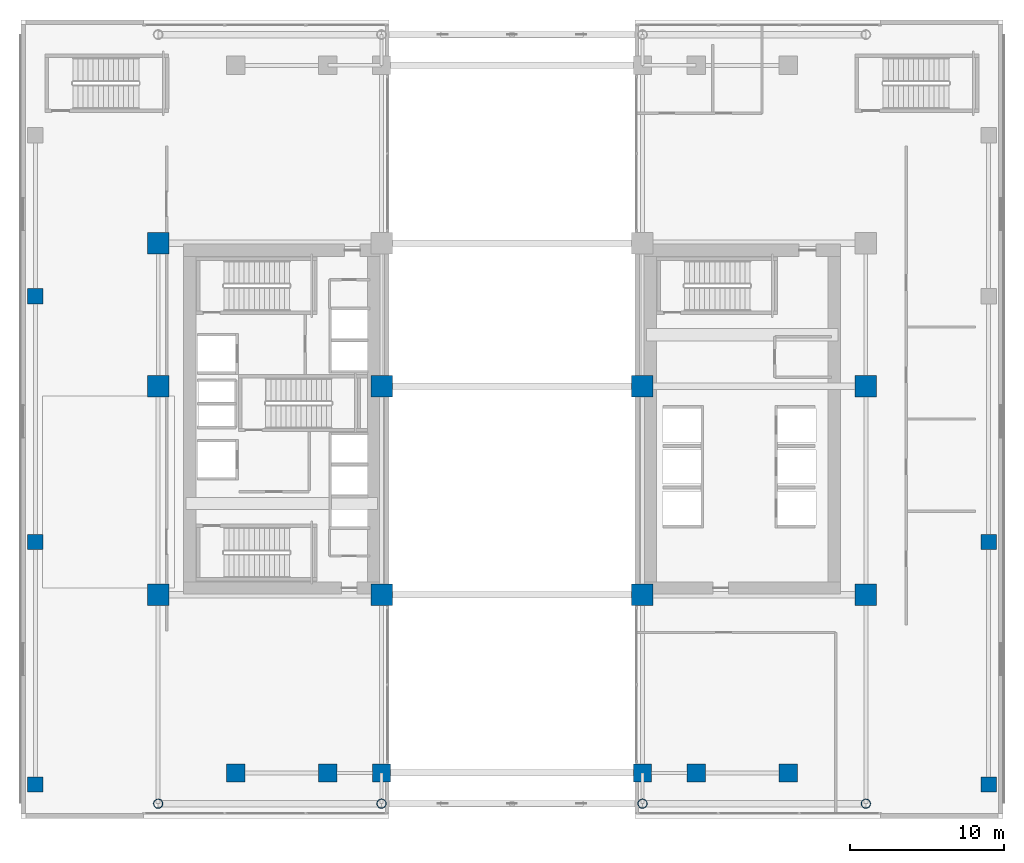
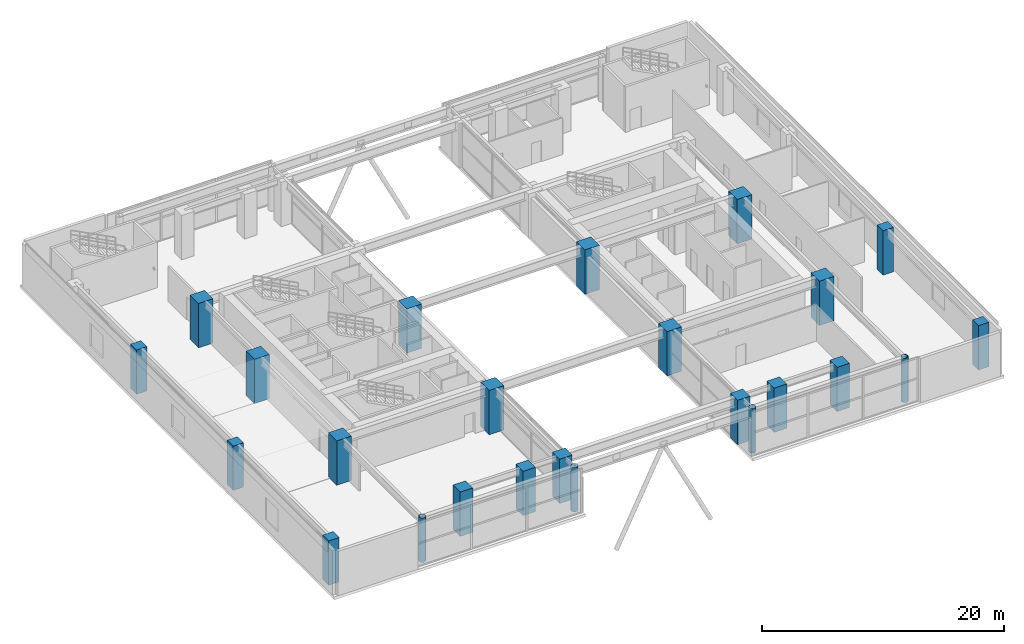
# One storey, part 1 of 30: 24 columns.
"""IFC4 building model written with IfcOpenShell, lengths in metres."""

from ifc_helpers import new_model, si_unit, direction, frame, origin, origin_2d, place, context, subcontext, project, spatial, rectangle, hollow_circle, extrude, source, transform, mapped, material, material_profile, profile_set, type_object, element, save


model = new_model("IFC4")

# Units and contexts
model_context = context("Model", 3, precision=1e-05, world=origin(), true_north=direction((0.0, 1.0)))
body_context = subcontext(model_context, "Body", "Model", "MODEL_VIEW")
ifc_project = project(units=[si_unit("LENGTHUNIT", "METRE"), si_unit("AREAUNIT", "SQUARE_METRE"), si_unit("VOLUMEUNIT", "CUBIC_METRE"), si_unit("PLANEANGLEUNIT", "RADIAN"), si_unit("MASSUNIT", "GRAM", prefix="KILO")], contexts=[model_context])

# Site, building, storey
site_placement = place(None, origin())
site = spatial("IfcSite", under=ifc_project, at=site_placement, CompositionType="ELEMENT")
building_placement = place(site_placement, origin())
building = spatial("IfcBuilding", under=site, at=building_placement, Name="Ocotamira Hotel", CompositionType="ELEMENT")
storey_placement = place(building_placement, frame((0.0, 0.0, 19.199951171875)))
storey = spatial("IfcBuildingStorey", under=building, at=storey_placement, Name="L04", CompositionType="ELEMENT", Elevation=19.199951171875)

# Columns
ifc_material_1 = material(Name="Concrete C50/60", Category="concrete")
ifc_material_profile_1 = material_profile(ifc_material_1, rectangle(XDim=1.0, YDim=1.0, at=origin_2d()), Name="RC1000X1000")
ifc_profile_set_1 = profile_set([ifc_material_profile_1], Name="Concrete C50/60")
column_type_1 = type_object("IfcColumnType", Name="COL-RC1000", PredefinedType="COLUMN", material=ifc_profile_set_1)
shared_shape_1 = source(origin(), body_context, "Body", "SweptSolid", [
    extrude(rectangle(XDim=1.0, YDim=1.0, at=origin_2d()), origin(), (0.0, 0.0, 1.0), 4.47998046875),
])
for number, where, z_axis, x_axis, name in (
    (1, (0.949951171875, 2.199951171875, 0.0), (0.0, 0.0, 1.0), (1.0, 0.0, 0.0), "L04 Column PW1"),
    (2, (63.050048828125, 2.199951171875, 0.0), (0.0, 0.0, 1.0), (1.0, 0.0, 0.0), "L04 Column PE1"),
    (3, (0.949951171875, 18.0, 0.0), (0.0, 0.0, 1.0), (1.0, 0.0, 0.0), "L04 Column PW2"),
    (4, (63.050048828125, 18.0, 0.0), (0.0, 0.0, 1.0), (1.0, 0.0, 0.0), "L04 Column PE2"),
    (5, (0.949951171875, 34.0, 0.0), (0.0, 0.0, 1.0), (1.0, 0.0, 0.0), "L04 Column PW3"),
):
    element("IfcColumn", number, at=place(storey_placement, frame(where, z_axis=z_axis, x_axis=x_axis)), inside=storey, type_object=column_type_1, Name=name, PredefinedType="COLUMN", context=body_context, shape_type="MappedRepresentation", body=[
        mapped(shared_shape_1, transform((0.0, 0.0, 0.0), scale=1.0)),
    ])
ifc_material_2 = material(Name="Steel ASTM A501 Grade B", Category="steel")
ifc_material_profile_2 = material_profile(ifc_material_2, hollow_circle(Radius=0.304931640625, WallThickness=0.02490234375, at=origin_2d()), Name="CHS610X25")
ifc_profile_set_2 = profile_set([ifc_material_profile_2], Name="Steel ASTM A501 Grade B")
column_type_2 = type_object("IfcColumnType", Name="COL-CHS610", PredefinedType="COLUMN", material=ifc_profile_set_2)
shared_shape_2 = source(origin(), body_context, "Body", "SweptSolid", [
    extrude(hollow_circle(Radius=0.304931640625, WallThickness=0.02490234375, at=origin_2d()), origin(), (0.0, 0.0, 1.0), 4.47998046875),
])
for number, where, z_axis, x_axis, name in (
    (6, (8.949951171875, 0.949951171875, 0.0), (0.0, 0.0, 1.0), (1.0, 0.0, 0.0), "L04 Column PS1_1"),
    (7, (23.5, 0.949951171875, 0.0), (0.0, 0.0, 1.0), (1.0, 0.0, 0.0), "L04 Column PS1_2"),
    (8, (40.5, 0.949951171875, 0.0), (0.0, 0.0, 1.0), (1.0, 0.0, 0.0), "L04 Column PS1_3"),
    (9, (55.050048828125, 0.949951171875, 0.0), (0.0, 0.0, 1.0), (1.0, 0.0, 0.0), "L04 Column PS1_4"),
):
    element("IfcColumn", number, at=place(storey_placement, frame(where, z_axis=z_axis, x_axis=x_axis)), inside=storey, type_object=column_type_2, Name=name, PredefinedType="COLUMN", context=body_context, shape_type="MappedRepresentation", body=[
        mapped(shared_shape_2, transform((0.0, 0.0, 0.0), scale=1.0)),
    ])
ifc_material_3 = material(Name="Concrete C60/75", Category="concrete")
ifc_material_profile_3 = material_profile(ifc_material_3, rectangle(XDim=1.39990234375, YDim=1.39990234375, at=origin_2d()), Name="RC1400X1400")
ifc_profile_set_3 = profile_set([ifc_material_profile_3], Name="Concrete C60/75")
column_type_3 = type_object("IfcColumnType", Name="COL-RC1400", PredefinedType="COLUMN", material=ifc_profile_set_3)
shared_shape_3 = source(origin(), body_context, "Body", "SweptSolid", [
    extrude(rectangle(XDim=1.39990234375, YDim=1.39990234375, at=origin_2d()), origin(), (0.0, 0.0, 1.0), 4.47998046875),
])
for number, where, z_axis, x_axis, name in (
    (10, (8.949951171875, 14.550048828125, 0.0), (0.0, 0.0, 1.0), (1.0, 0.0, 0.0), "L04 Column TW8_14"),
    (11, (23.5, 14.550048828125, 0.0), (0.0, 0.0, 1.0), (1.0, 0.0, 0.0), "L04 Column TW23_14"),
    (12, (40.5, 14.550048828125, 0.0), (0.0, 0.0, 1.0), (1.0, 0.0, 0.0), "L04 Column TE40_14"),
    (13, (55.050048828125, 14.550048828125, 0.0), (0.0, 0.0, 1.0), (1.0, 0.0, 0.0), "L04 Column TE55_14"),
    (14, (8.949951171875, 28.14990234375, 0.0), (0.0, 0.0, 1.0), (1.0, 0.0, 0.0), "L04 Column TW8_28"),
    (15, (23.5, 28.14990234375, 0.0), (0.0, 0.0, 1.0), (1.0, 0.0, 0.0), "L04 Column TW23_28"),
    (16, (40.5, 28.14990234375, 0.0), (0.0, 0.0, 1.0), (1.0, 0.0, 0.0), "L04 Column TE40_28"),
    (17, (55.050048828125, 28.14990234375, 0.0), (0.0, 0.0, 1.0), (1.0, 0.0, 0.0), "L04 Column TE55_28"),
    (18, (8.949951171875, 37.449951171875, 0.0), (0.0, 0.0, 1.0), (1.0, 0.0, 0.0), "L04 Column TW8_37"),
):
    element("IfcColumn", number, at=place(storey_placement, frame(where, z_axis=z_axis, x_axis=x_axis)), inside=storey, type_object=column_type_3, Name=name, PredefinedType="COLUMN", context=body_context, shape_type="MappedRepresentation", body=[
        mapped(shared_shape_3, transform((0.0, 0.0, 0.0), scale=1.0)),
    ])
ifc_material_profile_4 = material_profile(ifc_material_3, rectangle(XDim=1.199951171875, YDim=1.199951171875, at=origin_2d()), Name="RC1200X1200")
ifc_profile_set_4 = profile_set([ifc_material_profile_4], Name="Concrete C60/75")
column_type_4 = type_object("IfcColumnType", Name="COL-RC1200", PredefinedType="COLUMN", material=ifc_profile_set_4)
shared_shape_4 = source(origin(), body_context, "Body", "SweptSolid", [
    extrude(rectangle(XDim=1.199951171875, YDim=1.199951171875, at=origin_2d()), origin(), (0.0, 0.0, 1.0), 4.47998046875),
])
for number, where, z_axis, x_axis, name in (
    (19, (14.0, 2.949951171875, 0.0), (0.0, 0.0, 1.0), (1.0, 0.0, 0.0), "L04 Column NSP1_14"),
    (20, (20.0, 2.949951171875, 0.0), (0.0, 0.0, 1.0), (1.0, 0.0, 0.0), "L04 Column NSP1_20"),
    (21, (23.5, 2.949951171875, 0.0), (0.0, 0.0, 1.0), (1.0, 0.0, 0.0), "L04 Column NSP1_23"),
    (22, (40.5, 2.949951171875, 0.0), (0.0, 0.0, 1.0), (1.0, 0.0, 0.0), "L04 Column NSP1_40"),
    (23, (44.0, 2.949951171875, 0.0), (0.0, 0.0, 1.0), (1.0, 0.0, 0.0), "L04 Column NSP1_44"),
    (24, (50.0, 2.949951171875, 0.0), (0.0, 0.0, 1.0), (1.0, 0.0, 0.0), "L04 Column NSP1_50"),
):
    element("IfcColumn", number, at=place(storey_placement, frame(where, z_axis=z_axis, x_axis=x_axis)), inside=storey, type_object=column_type_4, Name=name, PredefinedType="COLUMN", context=body_context, shape_type="MappedRepresentation", body=[
        mapped(shared_shape_4, transform((0.0, 0.0, 0.0), scale=1.0)),
    ])

save(model, "model.ifc")
